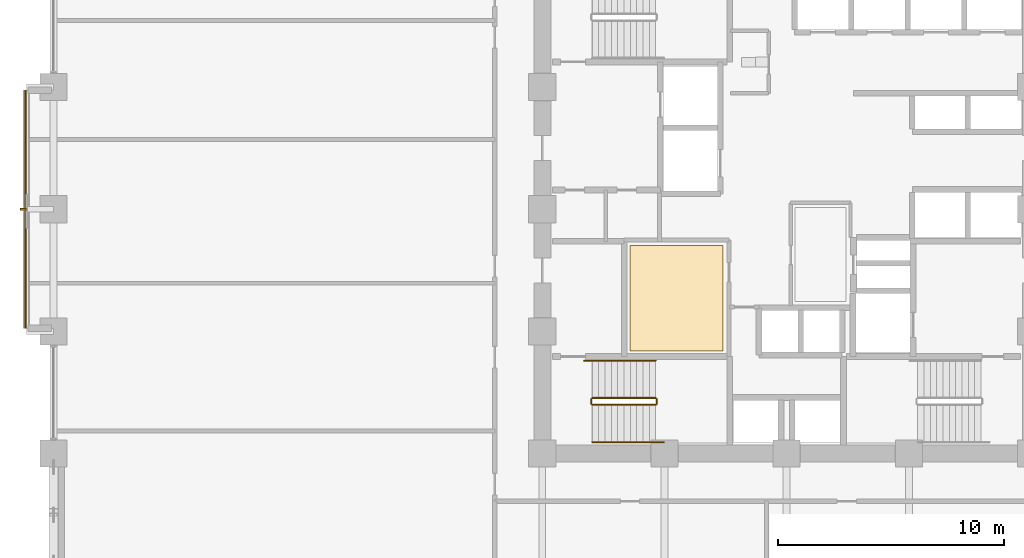
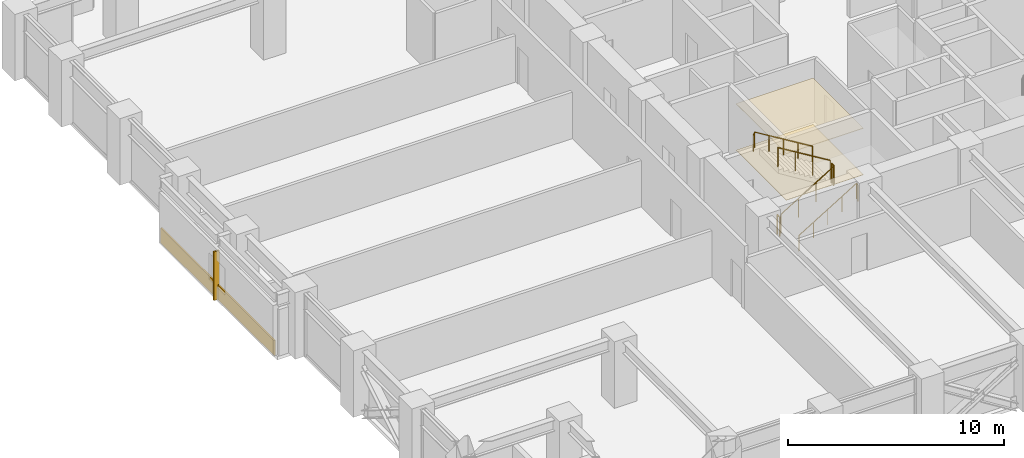
# One storey, part 23 of 26: 6 railings, 3 coverings, 1 shading device.
"""IFC4 building model written with IfcOpenShell, lengths in metres."""

from ifc_helpers import new_model, si_unit, direction, frame, origin, origin_2d, place, context, subcontext, project, spatial, polyline, rectangle, circle, outline, extrude, material, layer, layer_set, type_object, element, save


model = new_model("IFC4")

# Units and contexts
model_context = context("Model", 3, precision=1e-05, world=origin(), true_north=direction((0.0, 1.0)))
body_context = subcontext(model_context, "Body", "Model", "MODEL_VIEW")
ifc_project = project(units=[si_unit("LENGTHUNIT", "METRE"), si_unit("AREAUNIT", "SQUARE_METRE"), si_unit("VOLUMEUNIT", "CUBIC_METRE"), si_unit("PLANEANGLEUNIT", "RADIAN"), si_unit("MASSUNIT", "GRAM", prefix="KILO")], contexts=[model_context])

# Site, building, storey
site_placement = place(None, origin())
site = spatial("IfcSite", under=ifc_project, at=site_placement, CompositionType="ELEMENT")
building_placement = place(site_placement, origin())
building = spatial("IfcBuilding", under=site, at=building_placement, Name="Surkhivell Harbour Commons", CompositionType="ELEMENT")
storey_placement = place(building_placement, frame((0.0, 0.0, 60.0)))
storey = spatial("IfcBuildingStorey", under=building, at=storey_placement, Name="L15", CompositionType="ELEMENT", Elevation=60.0)

# Coverings
ifc_material_1 = material(Name="Moisture-resistant gypsum acoustic ceiling board", Category="other")
ifc_layer_1 = layer(ifc_material_1, 0.030029296875)
ifc_layer_set_1 = layer_set([ifc_layer_1], Name="Moisture-resistant gypsum acoustic ceiling board")
covering_type_1 = type_object("IfcCoveringType", Name="COV-CEIL-GYP", PredefinedType="CEILING", material=ifc_layer_set_1)
covering_1_placement = place(storey_placement, frame((0.0, 0.0, 2.613037109375)))
element("IfcCovering", 1, at=covering_1_placement, inside=storey, type_object=covering_type_1, Name="L15 Suspended Acoustic Ceiling 2", PredefinedType="CEILING", context=body_context, shape_type="SweptSolid", body=[
    extrude(outline(polyline([(-6.929931640625, -6.260009765625), (-2.820068359375, -6.260009765625), (-2.820068359375, -1.60009765625), (-6.929931640625, -1.60009765625), (-6.929931640625, -6.260009765625)])), origin(), (0.0, 0.0, 1.0), 0.030029296875),
])
ifc_material_2 = material(Name="Vermilion-coral enamelled aluminium cassette panel", Category="aluminium")
ifc_layer_2 = layer(ifc_material_2, 0.074951171875)
ifc_layer_set_2 = layer_set([ifc_layer_2], Name="Vermilion-coral enamelled aluminium cassette panel")
covering_type_2 = type_object("IfcCoveringType", Name="COV-CLAD-VER", PredefinedType="CLADDING", material=ifc_layer_set_2)
covering_2_placement = place(storey_placement, frame((-33.639892578125, 0.0, 0.0), z_axis=(0.0, 0.0, 1.0), x_axis=(1.0, 0.0, 0.0)))
element("IfcCovering", 2, at=covering_2_placement, inside=storey, type_object=covering_type_2, Name="L15 Coloured-Panel Box Spandrel Cassette 02", PredefinedType="CLADDING", context=body_context, shape_type="SweptSolid", body=[
    extrude(rectangle(XDim=0.080078125, YDim=10.5, at=origin_2d()), origin(), (0.0, 0.0, 1.0), 0.840087890625),
])
ifc_material_3 = material(Name="Engineered acoustic oak timber flooring", Category="wood")
ifc_layer_3 = layer(ifc_material_3, 0.02001953125)
ifc_layer_set_3 = layer_set([ifc_layer_3], Name="Engineered acoustic oak timber flooring")
covering_type_3 = type_object("IfcCoveringType", Name="COV-FLR-TIM", PredefinedType="FLOORING", material=ifc_layer_set_3)
covering_3_placement = place(storey_placement, origin())
element("IfcCovering", 3, at=covering_3_placement, inside=storey, type_object=covering_type_3, Name="L15 Interior Floor Finish 2", PredefinedType="FLOORING", context=body_context, shape_type="SweptSolid", body=[
    extrude(outline(polyline([(-6.929931640625, -6.260009765625), (-2.820068359375, -6.260009765625), (-2.820068359375, -1.60009765625), (-6.929931640625, -1.60009765625), (-6.929931640625, -6.260009765625)])), origin(), (0.0, 0.0, 1.0), 0.02001953125),
])

# Railings
ifc_material_4 = material(Name="Galvanised and painted steel S355 guard rail", Category="steel")
railing_type_1 = type_object("IfcRailingType", Name="RAL-ST-GRD1100", PredefinedType="GUARDRAIL", material=ifc_material_4)
railing_1_placement = place(storey_placement, frame((-8.590087890625, -8.639892578125, 0.17041015625)))
element("IfcRailing", 4, at=railing_1_placement, inside=storey, type_object=railing_type_1, Name="L15 ST3 stair guard 1", PredefinedType="GUARDRAIL", context=body_context, shape_type="SweptSolid", body=[
    extrude(circle(Radius=0.02392578125, at=origin_2d()), frame((0.0, 0.0, 1.076171875), z_axis=(0.854169791009, 0.0, 0.51999420009), x_axis=(0.0, 1.0, 0.0)), (0.0, 0.0, 1.0), 3.278076171875),
    extrude(circle(Radius=0.02099609375, at=origin_2d()), origin(), (0.0, 0.0, 1.0), 1.052001953125),
    extrude(circle(Radius=0.02099609375, at=origin_2d()), frame((0.933349609375, 0.0, 0.568115234375)), (0.0, 0.0, 1.0), 1.052001953125),
    extrude(circle(Radius=0.02099609375, at=origin_2d()), frame((1.86669921875, 0.0, 1.136474609375)), (0.0, 0.0, 1.0), 1.052001953125),
    extrude(circle(Radius=0.02099609375, at=origin_2d()), frame((2.800048828125, 0.0, 1.70458984375)), (0.0, 0.0, 1.0), 1.052001953125),
])
railing_2_placement = place(storey_placement, frame((-5.739990234375, -8.590087890625, 1.875)))
element("IfcRailing", 5, at=railing_2_placement, inside=storey, type_object=railing_type_1, Name="L15 ST3 stair guard 2", PredefinedType="GUARDRAIL", context=body_context, shape_type="SweptSolid", body=[
    extrude(circle(Radius=0.02392578125, at=origin_2d()), frame((0.0, 0.0, 1.076171875), z_axis=(0.0, 1.0, 0.0), x_axis=(-1.0, 0.0, 0.0)), (0.0, 0.0, 1.0), 0.2001953125),
    extrude(circle(Radius=0.02099609375, at=origin_2d()), origin(), (0.0, 0.0, 1.0), 1.052001953125),
    extrude(circle(Radius=0.02099609375, at=origin_2d()), frame((0.0, 0.2001953125, 0.0)), (0.0, 0.0, 1.0), 1.052001953125),
])
railing_3_placement = place(storey_placement, frame((-5.7900390625, -8.340087890625, 2.04541015625)))
element("IfcRailing", 6, at=railing_3_placement, inside=storey, type_object=railing_type_1, Name="L15 ST3 stair guard 3", PredefinedType="GUARDRAIL", context=body_context, shape_type="SweptSolid", body=[
    extrude(circle(Radius=0.02392578125, at=origin_2d()), frame((0.0, 0.0, 1.076171875), z_axis=(-0.854169791009, 0.0, 0.51999420009), x_axis=(0.0, -1.0, 0.0)), (0.0, 0.0, 1.0), 3.278076171875),
    extrude(circle(Radius=0.02099609375, at=origin_2d()), origin(), (0.0, 0.0, 1.0), 1.052001953125),
    extrude(circle(Radius=0.02099609375, at=origin_2d()), frame((-0.933349609375, 0.0, 0.568115234375)), (0.0, 0.0, 1.0), 1.052001953125),
    extrude(circle(Radius=0.02099609375, at=origin_2d()), frame((-1.86669921875, 0.0, 1.136474609375)), (0.0, 0.0, 1.0), 1.052001953125),
    extrude(circle(Radius=0.02099609375, at=origin_2d()), frame((-2.800048828125, 0.0, 1.70458984375)), (0.0, 0.0, 1.0), 1.052001953125),
])
railing_4_placement = place(storey_placement, frame((-8.639892578125, -8.590087890625, 0.0)))
element("IfcRailing", 7, at=railing_4_placement, inside=storey, type_object=railing_type_1, Name="L15 ST3 stair guard 4", PredefinedType="GUARDRAIL", context=body_context, shape_type="SweptSolid", body=[
    extrude(circle(Radius=0.02392578125, at=origin_2d()), frame((0.0, 0.0, 1.076171875), z_axis=(0.0, 1.0, 0.0), x_axis=(-1.0, 0.0, 0.0)), (0.0, 0.0, 1.0), 0.2001953125),
    extrude(circle(Radius=0.02099609375, at=origin_2d()), origin(), (0.0, 0.0, 1.0), 1.052001953125),
    extrude(circle(Radius=0.02099609375, at=origin_2d()), frame((0.0, 0.2001953125, 0.0)), (0.0, 0.0, 1.0), 1.052001953125),
])
ifc_material_5 = material(Name="Brushed stainless steel S355 handrail", Category="steel")
railing_type_2 = type_object("IfcRailingType", Name="RAL-ST-HND900", PredefinedType="HANDRAIL", material=ifc_material_5)
railing_5_placement = place(storey_placement, frame((-8.590087890625, -10.2900390625, 0.17041015625)))
element("IfcRailing", 8, at=railing_5_placement, inside=storey, type_object=railing_type_2, Name="L15 ST3 stair handrail 1", PredefinedType="HANDRAIL", context=body_context, shape_type="SweptSolid", body=[
    extrude(circle(Radius=0.02392578125, at=origin_2d()), frame((0.0, 0.0, 0.8759765625), z_axis=(0.854177636135, 0.0, 0.519981313056), x_axis=(0.0, 1.0, 0.0)), (0.0, 0.0, 1.0), 3.60595703125),
    extrude(circle(Radius=0.02392578125, at=origin_2d()), frame((3.080078125, 0.0, 2.7509765625), z_axis=(0.425297416671, 0.0, -0.905053648892), x_axis=(0.0, 1.0, 0.0)), (0.0, 0.0, 1.0), 0.188232421875),
    extrude(circle(Radius=0.02099609375, at=origin_2d()), origin(), (0.0, 0.0, 1.0), 0.851806640625),
    extrude(circle(Radius=0.02099609375, at=origin_2d()), frame((0.77001953125, 0.0, 0.46875)), (0.0, 0.0, 1.0), 0.851806640625),
    extrude(circle(Radius=0.02099609375, at=origin_2d()), frame((1.5400390625, 0.0, 0.9375)), (0.0, 0.0, 1.0), 0.851806640625),
    extrude(circle(Radius=0.02099609375, at=origin_2d()), frame((2.31005859375, 0.0, 1.40625)), (0.0, 0.0, 1.0), 0.851806640625),
    extrude(circle(Radius=0.02099609375, at=origin_2d()), frame((3.080078125, 0.0, 1.875)), (0.0, 0.0, 1.0), 0.851806640625),
    extrude(circle(Radius=0.02099609375, at=origin_2d()), frame((3.16015625, 0.0, 1.70458984375)), (0.0, 0.0, 1.0), 0.851806640625),
])
railing_6_placement = place(storey_placement, frame((-5.7900390625, -6.68994140625, 2.04541015625)))
element("IfcRailing", 9, at=railing_6_placement, inside=storey, type_object=railing_type_2, Name="L15 ST3 stair handrail 2", PredefinedType="HANDRAIL", context=body_context, shape_type="SweptSolid", body=[
    extrude(circle(Radius=0.02392578125, at=origin_2d()), frame((0.0, 0.0, 0.8759765625), z_axis=(-0.854177636135, 0.0, 0.519981313056), x_axis=(0.0, -1.0, 0.0)), (0.0, 0.0, 1.0), 3.60595703125),
    extrude(circle(Radius=0.02392578125, at=origin_2d()), frame((-3.080078125, 0.0, 2.7509765625), z_axis=(-0.424234432967, 0.0, -0.905552398199), x_axis=(0.0, -1.0, 0.0)), (0.0, 0.0, 1.0), 0.188232421875),
    extrude(circle(Radius=0.02099609375, at=origin_2d()), origin(), (0.0, 0.0, 1.0), 0.851806640625),
    extrude(circle(Radius=0.02099609375, at=origin_2d()), frame((-0.77001953125, 0.0, 0.46875)), (0.0, 0.0, 1.0), 0.851806640625),
    extrude(circle(Radius=0.02099609375, at=origin_2d()), frame((-1.5400390625, 0.0, 0.9375)), (0.0, 0.0, 1.0), 0.851806640625),
    extrude(circle(Radius=0.02099609375, at=origin_2d()), frame((-2.31005859375, 0.0, 1.40625)), (0.0, 0.0, 1.0), 0.851806640625),
    extrude(circle(Radius=0.02099609375, at=origin_2d()), frame((-3.080078125, 0.0, 1.875)), (0.0, 0.0, 1.0), 0.851806640625),
    extrude(circle(Radius=0.02099609375, at=origin_2d()), frame((-3.159912109375, 0.0, 1.70458984375)), (0.0, 0.0, 1.0), 0.851806640625),
])

# Shading device
ifc_material_6 = material(Name="Champagne anodised aluminium solar fin", Category="aluminium")
shading_device_type = type_object("IfcShadingDeviceType", Name="SHD-FIN-SLIM", PredefinedType="USERDEFINED", material=ifc_material_6)
shading_device_placement = place(storey_placement, frame((-33.739990234375, 0.0, 0.0048828125), z_axis=(0.0, 0.0, 1.0), x_axis=(1.0, 0.0, 0.0)))
element("IfcShadingDevice", 10, at=shading_device_placement, inside=storey, type_object=shading_device_type, Name="L15 Coloured-Box Solar Fin 02", ObjectType="FIN", PredefinedType="USERDEFINED", context=body_context, shape_type="SweptSolid", body=[
    extrude(rectangle(XDim=0.280029296875, YDim=0.080078125, at=origin_2d()), origin(), (0.0, 0.0, 1.0), 2.75),
])

save(model, "model.ifc")
